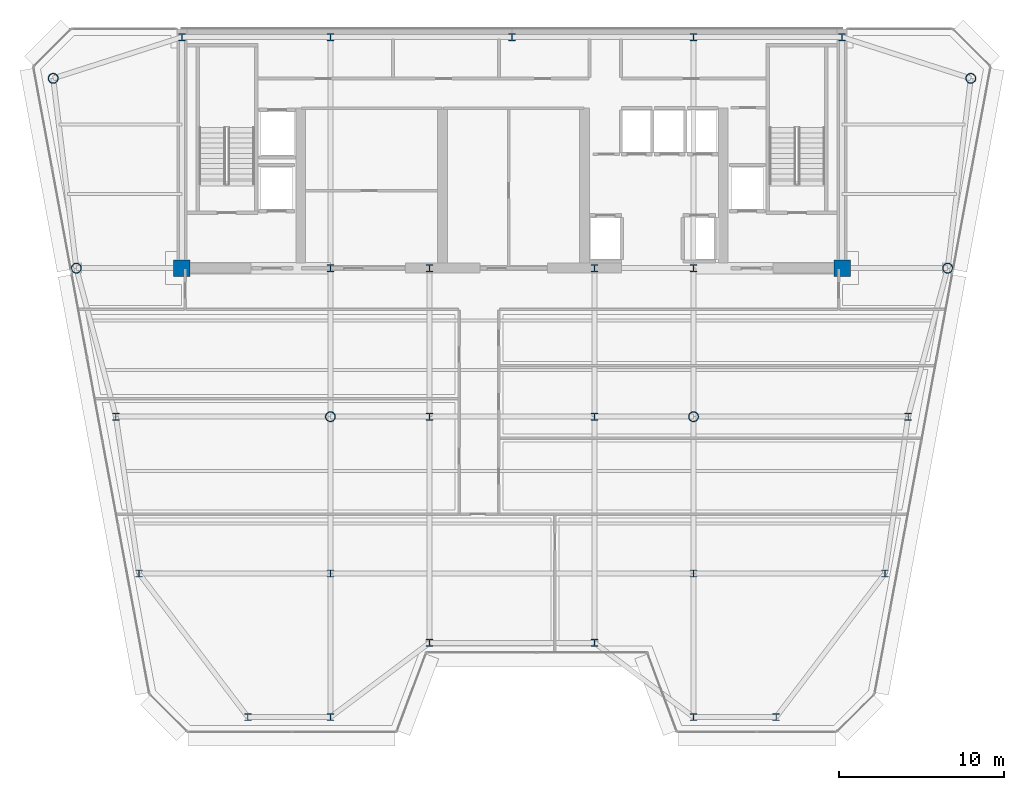
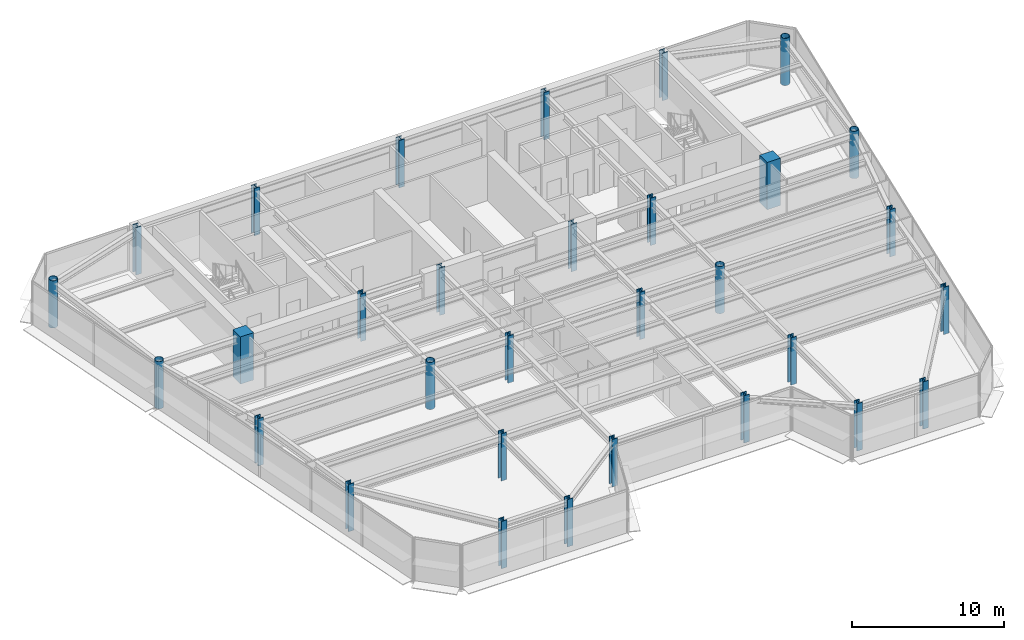
# One storey, part 1 of 16: 31 columns.
"""IFC4 building model written with IfcOpenShell, lengths in metres."""

from ifc_helpers import new_model, si_unit, direction, frame, origin, origin_2d, place, context, subcontext, project, spatial, rectangle, hollow_circle, i_section, extrude, source, transform, mapped, material, material_profile, profile_set, type_object, element, save


model = new_model("IFC4")

# Units and contexts
model_context = context("Model", 3, precision=1e-05, world=origin(), true_north=direction((0.0, 1.0)))
body_context = subcontext(model_context, "Body", "Model", "MODEL_VIEW")
ifc_project = project(units=[si_unit("LENGTHUNIT", "METRE"), si_unit("AREAUNIT", "SQUARE_METRE"), si_unit("VOLUMEUNIT", "CUBIC_METRE"), si_unit("PLANEANGLEUNIT", "RADIAN"), si_unit("MASSUNIT", "GRAM", prefix="KILO")], contexts=[model_context])

# Site, building, storey
site_placement = place(None, origin())
site = spatial("IfcSite", under=ifc_project, at=site_placement, CompositionType="ELEMENT")
building_placement = place(site_placement, origin())
building = spatial("IfcBuilding", under=site, at=building_placement, Name="Vaeldorn Concourse Tower", CompositionType="ELEMENT")
storey_placement = place(building_placement, frame((0.0, 0.0, 227.0)))
storey = spatial("IfcBuildingStorey", under=building, at=storey_placement, Name="L58", CompositionType="ELEMENT", Elevation=227.0)

# Columns
ifc_material_1 = material(Name="Concrete C50/60", Category="concrete")
ifc_material_profile_1 = material_profile(ifc_material_1, rectangle(XDim=1.0, YDim=1.0, at=origin_2d()), Name="RC 1000x1000")
ifc_profile_set_1 = profile_set([ifc_material_profile_1], Name="Concrete C50/60")
column_type_1 = type_object("IfcColumnType", Name="COL-RC1000", PredefinedType="COLUMN", material=ifc_profile_set_1)
shared_shape_1 = source(origin(), body_context, "Body", "SweptSolid", [
    extrude(rectangle(XDim=1.0, YDim=1.0, at=origin_2d()), origin(), (0.0, 0.0, 1.0), 3.800048828125),
])
for number, where, z_axis, x_axis, name in (
    (1, (14.0, 36.5, 0.0), (0.0, 0.0, 1.0), (1.0, 0.0, 0.0), "Column C-FC1 L58"),
    (2, (54.0, 36.5, 0.0), (0.0, 0.0, 1.0), (1.0, 0.0, 0.0), "Column C-FC6 L58"),
):
    element("IfcColumn", number, at=place(storey_placement, frame(where, z_axis=z_axis, x_axis=x_axis)), inside=storey, type_object=column_type_1, Name=name, PredefinedType="COLUMN", context=body_context, shape_type="MappedRepresentation", body=[
        mapped(shared_shape_1, transform((0.0, 0.0, 0.0), scale=1.0)),
    ])
ifc_material_2 = material(Name="Steel S460", Category="steel")
ifc_material_profile_2 = material_profile(ifc_material_2, i_section(OverallWidth=0.41796875, OverallDepth=0.455078125, WebThickness=0.0419921875, FlangeThickness=0.05810546875, FilletRadius=0.014892578125, at=origin_2d()), Name="HD 400x551")
ifc_profile_set_2 = profile_set([ifc_material_profile_2], Name="Steel S460")
column_type_2 = type_object("IfcColumnType", Name="COL-HD551", PredefinedType="COLUMN", material=ifc_profile_set_2)
shared_shape_2 = source(origin(), body_context, "Body", "SweptSolid", [
    extrude(i_section(OverallWidth=0.41796875, OverallDepth=0.455078125, WebThickness=0.0419921875, FlangeThickness=0.05810546875, FilletRadius=0.014892578125, at=origin_2d()), origin(), (0.0, 0.0, 1.0), 3.800048828125),
])
for number, where, z_axis, x_axis, name in (
    (3, (23.0, 36.5, 0.0), (0.0, 0.0, 1.0), (1.0, 0.0, 0.0), "Column C-FC2 L58"),
    (4, (29.0, 36.5, 0.0), (0.0, 0.0, 1.0), (1.0, 0.0, 0.0), "Column C-FC3 L58"),
    (5, (39.0, 36.5, 0.0), (0.0, 0.0, 1.0), (1.0, 0.0, 0.0), "Column C-FC4 L58"),
    (6, (45.0, 36.5, 0.0), (0.0, 0.0, 1.0), (1.0, 0.0, 0.0), "Column C-FC5 L58"),
    (7, (14.0, 50.5, 0.0), (0.0, 0.0, 1.0), (1.0, 0.0, 0.0), "Column C-HC1 L58"),
    (8, (23.0, 50.5, 0.0), (0.0, 0.0, 1.0), (1.0, 0.0, 0.0), "Column C-HC2 L58"),
    (9, (34.0, 50.5, 0.0), (0.0, 0.0, 1.0), (1.0, 0.0, 0.0), "Column C-HC3 L58"),
    (10, (45.0, 50.5, 0.0), (0.0, 0.0, 1.0), (1.0, 0.0, 0.0), "Column C-HC4 L58"),
    (11, (54.0, 50.5, 0.0), (0.0, 0.0, 1.0), (1.0, 0.0, 0.0), "Column C-HC5 L58"),
):
    element("IfcColumn", number, at=place(storey_placement, frame(where, z_axis=z_axis, x_axis=x_axis)), inside=storey, type_object=column_type_2, Name=name, PredefinedType="COLUMN", context=body_context, shape_type="MappedRepresentation", body=[
        mapped(shared_shape_2, transform((0.0, 0.0, 0.0), scale=1.0)),
    ])
ifc_material_3 = material(Name="Steel S355", Category="steel")
ifc_material_profile_3 = material_profile(ifc_material_3, hollow_circle(Radius=0.304931640625, WallThickness=0.030029296875, at=origin_2d()), Name="CHS 610x30")
ifc_profile_set_3 = profile_set([ifc_material_profile_3], Name="Steel S355")
column_type_3 = type_object("IfcColumnType", Name="COL-CHS610", PredefinedType="COLUMN", material=ifc_profile_set_3)
shared_shape_3 = source(origin(), body_context, "Body", "SweptSolid", [
    extrude(hollow_circle(Radius=0.304931640625, WallThickness=0.030029296875, at=origin_2d()), origin(), (0.0, 0.0, 1.0), 3.800048828125),
])
for number, where, z_axis, x_axis, name in (
    (12, (6.199951171875, 48.0, 0.0), (0.0, 0.0, 1.0), (1.0, 0.0, 0.0), "Column C-NW1 L58"),
    (13, (7.60009765625, 36.5, 0.0), (0.0, 0.0, 1.0), (1.0, 0.0, 0.0), "Column C-NW2 L58"),
    (14, (61.800048828125, 48.0, 0.0), (0.0, 0.0, 1.0), (1.0, 0.0, 0.0), "Column C-NE1 L58"),
    (15, (60.39990234375, 36.5, 0.0), (0.0, 0.0, 1.0), (1.0, 0.0, 0.0), "Column C-NE2 L58"),
    (16, (23.0, 27.5, 0.0), (0.0, 0.0, 1.0), (1.0, 0.0, 0.0), "Column C-TW1 L58"),
    (17, (45.0, 27.5, 0.0), (0.0, 0.0, 1.0), (1.0, 0.0, 0.0), "Column C-TW4 L58"),
):
    element("IfcColumn", number, at=place(storey_placement, frame(where, z_axis=z_axis, x_axis=x_axis)), inside=storey, type_object=column_type_3, Name=name, PredefinedType="COLUMN", context=body_context, shape_type="MappedRepresentation", body=[
        mapped(shared_shape_3, transform((0.0, 0.0, 0.0), scale=1.0)),
    ])
ifc_material_profile_4 = material_profile(ifc_material_3, i_section(OverallWidth=0.412109375, OverallDepth=0.43505859375, WebThickness=0.035888671875, FlangeThickness=0.050048828125, FilletRadius=0.014892578125, at=origin_2d()), Name="HD 400x463")
ifc_profile_set_4 = profile_set([ifc_material_profile_4], Name="Steel S355")
column_type_4 = type_object("IfcColumnType", Name="COL-HD463F", PredefinedType="COLUMN", material=ifc_profile_set_4)
shared_shape_4 = source(origin(), body_context, "Body", "SweptSolid", [
    extrude(i_section(OverallWidth=0.412109375, OverallDepth=0.43505859375, WebThickness=0.035888671875, FlangeThickness=0.050048828125, FilletRadius=0.014892578125, at=origin_2d()), origin(), (0.0, 0.0, 1.0), 3.800048828125),
])
for number, where, z_axis, x_axis, name in (
    (18, (10.0, 27.5, 0.0), (0.0, 0.0, 1.0), (1.0, 0.0, 0.0), "Column C-FLW1 L58"),
    (19, (11.39990234375, 18.0, 0.0), (0.0, 0.0, 1.0), (1.0, 0.0, 0.0), "Column C-FLW2 L58"),
    (20, (58.0, 27.5, 0.0), (0.0, 0.0, 1.0), (1.0, 0.0, 0.0), "Column C-FLE1 L58"),
    (21, (56.60009765625, 18.0, 0.0), (0.0, 0.0, 1.0), (1.0, 0.0, 0.0), "Column C-FLE2 L58"),
):
    element("IfcColumn", number, at=place(storey_placement, frame(where, z_axis=z_axis, x_axis=x_axis)), inside=storey, type_object=column_type_4, Name=name, PredefinedType="COLUMN", context=body_context, shape_type="MappedRepresentation", body=[
        mapped(shared_shape_4, transform((0.0, 0.0, 0.0), scale=1.0)),
    ])
ifc_material_profile_5 = material_profile(ifc_material_3, i_section(OverallWidth=0.412109375, OverallDepth=0.43505859375, WebThickness=0.035888671875, FlangeThickness=0.050048828125, FilletRadius=0.014892578125, at=origin_2d()), Name="HD 400x463")
ifc_profile_set_5 = profile_set([ifc_material_profile_5], Name="Steel S355")
column_type_5 = type_object("IfcColumnType", Name="COL-HD463T", PredefinedType="COLUMN", material=ifc_profile_set_5)
shared_shape_5 = source(origin(), body_context, "Body", "SweptSolid", [
    extrude(i_section(OverallWidth=0.412109375, OverallDepth=0.43505859375, WebThickness=0.035888671875, FlangeThickness=0.050048828125, FilletRadius=0.014892578125, at=origin_2d()), origin(), (0.0, 0.0, 1.0), 3.800048828125),
])
for number, where, z_axis, x_axis, name in (
    (22, (29.0, 27.5, 0.0), (0.0, 0.0, 1.0), (1.0, 0.0, 0.0), "Column C-TW2 L58"),
    (23, (39.0, 27.5, 0.0), (0.0, 0.0, 1.0), (1.0, 0.0, 0.0), "Column C-TW3 L58"),
    (24, (23.0, 18.0, 0.0), (0.0, 0.0, 1.0), (1.0, 0.0, 0.0), "Column C-TW5 L58"),
    (25, (45.0, 18.0, 0.0), (0.0, 0.0, 1.0), (1.0, 0.0, 0.0), "Column C-TW6 L58"),
    (26, (18.0, 9.300048828125, 0.0), (0.0, 0.0, 1.0), (1.0, 0.0, 0.0), "Column C-SF1 L58"),
    (27, (23.0, 9.300048828125, 0.0), (0.0, 0.0, 1.0), (1.0, 0.0, 0.0), "Column C-SF2 L58"),
    (28, (29.0, 13.800048828125, 0.0), (0.0, 0.0, 1.0), (1.0, 0.0, 0.0), "Column C-SF3 L58"),
    (29, (39.0, 13.800048828125, 0.0), (0.0, 0.0, 1.0), (1.0, 0.0, 0.0), "Column C-SF4 L58"),
    (30, (45.0, 9.300048828125, 0.0), (0.0, 0.0, 1.0), (1.0, 0.0, 0.0), "Column C-SF5 L58"),
    (31, (50.0, 9.300048828125, 0.0), (0.0, 0.0, 1.0), (1.0, 0.0, 0.0), "Column C-SF6 L58"),
):
    element("IfcColumn", number, at=place(storey_placement, frame(where, z_axis=z_axis, x_axis=x_axis)), inside=storey, type_object=column_type_5, Name=name, PredefinedType="COLUMN", context=body_context, shape_type="MappedRepresentation", body=[
        mapped(shared_shape_5, transform((0.0, 0.0, 0.0), scale=1.0)),
    ])

save(model, "model.ifc")
